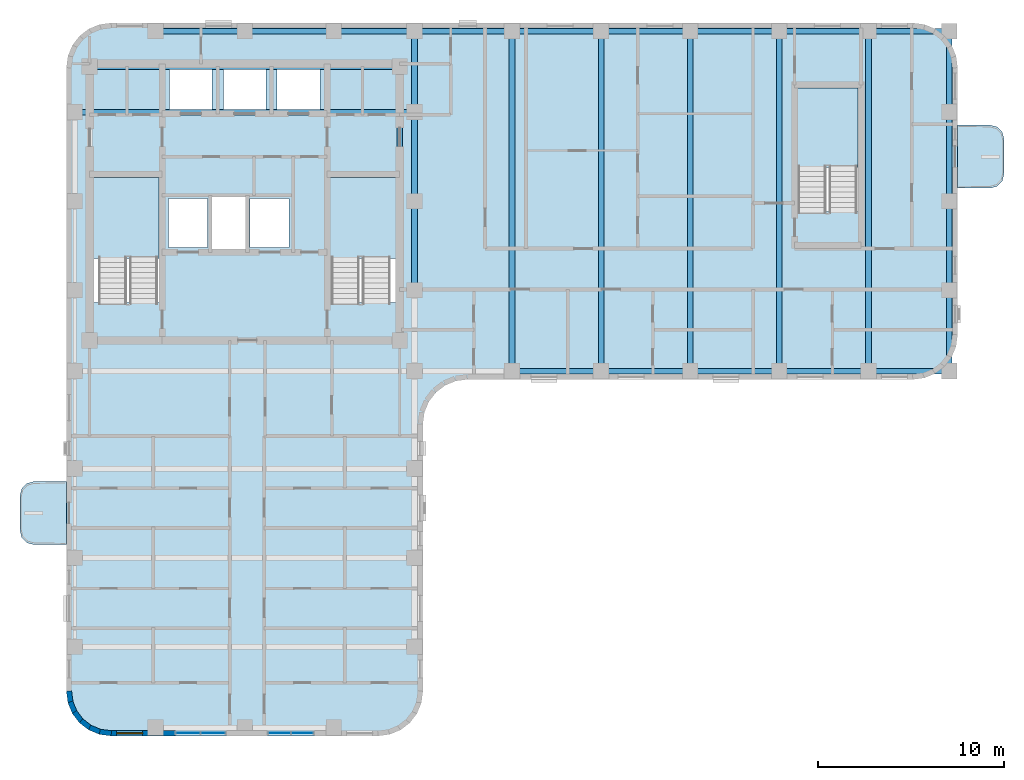
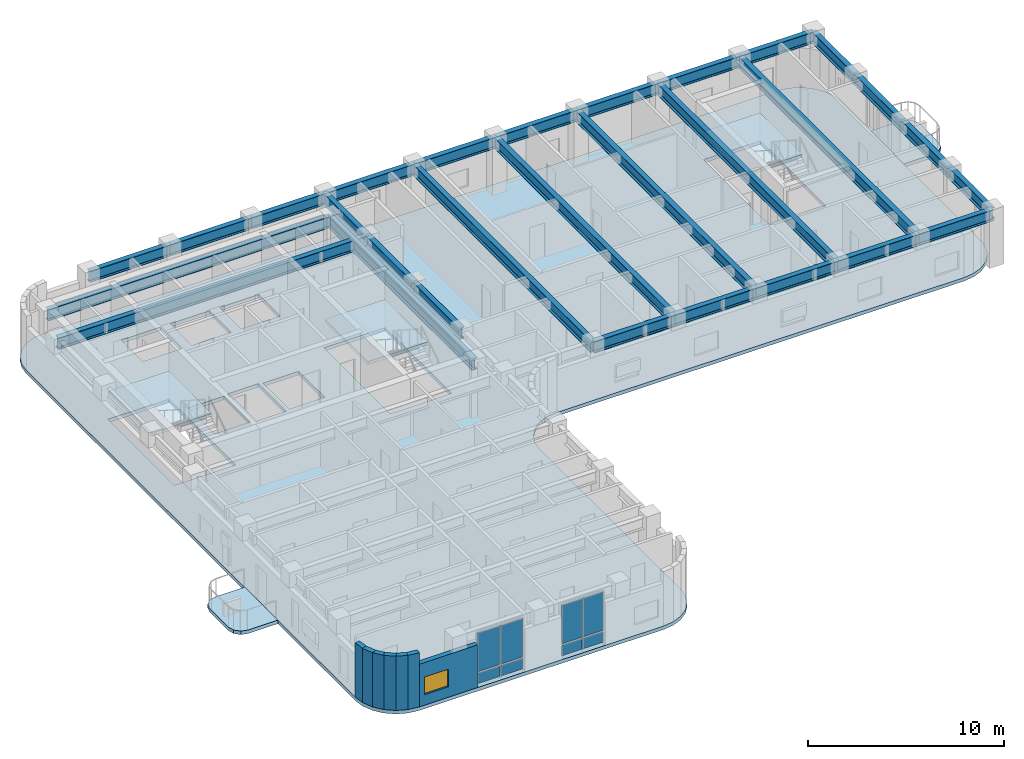
# One storey, part 3 of 12: 29 beams, 8 plates, 7 walls, 6 slabs, 1 window, 1 opening, 5 elements without a shape of their own.
"""IFC4 building model written with IfcOpenShell, lengths in metres."""

from ifc_helpers import new_model, si_unit, direction, frame, frame_2d, origin, origin_2d, place, context, subcontext, project, spatial, polyline, rectangle, i_section, outline, extrude, material, layer, layer_set, material_profile, profile_set, type_object, element, fill, aggregate, save


model = new_model("IFC4")

# Units and contexts
model_context = context("Model", 3, precision=1e-05, world=origin(), true_north=direction((0.0, 1.0)))
body_context = subcontext(model_context, "Body", "Model", "MODEL_VIEW")
ifc_project = project(units=[si_unit("LENGTHUNIT", "METRE"), si_unit("AREAUNIT", "SQUARE_METRE"), si_unit("VOLUMEUNIT", "CUBIC_METRE"), si_unit("PLANEANGLEUNIT", "RADIAN"), si_unit("MASSUNIT", "GRAM", prefix="KILO")], contexts=[model_context])

# Site, building, storey
site_placement = place(None, origin())
site = spatial("IfcSite", under=ifc_project, at=site_placement, CompositionType="ELEMENT")
building_placement = place(site_placement, origin())
building = spatial("IfcBuilding", under=site, at=building_placement, Name="Orvandelia Arch Residences", CompositionType="ELEMENT")
storey_placement = place(building_placement, frame((0.0, 0.0, 214.60009765625)))
storey = spatial("IfcBuildingStorey", under=building, at=storey_placement, Name="L56", CompositionType="ELEMENT", Elevation=214.60009765625)

# Beams
ifc_material_1 = material(Name="Structural Steel SM355 (355 MPa)", Category="steel")
ifc_material_profile = material_profile(ifc_material_1, i_section(OverallWidth=0.300048828125, OverallDepth=0.699951171875, WebThickness=0.012939453125, FlangeThickness=0.02392578125, FilletRadius=0.02392578125, at=origin_2d()), Name="Structural Steel SM355 (355 MPa)", Category="steel")
ifc_profile_set = profile_set([ifc_material_profile], Name="Structural Steel SM355 (355 MPa)")
beam_type = type_object("IfcBeamType", Name="BM-GRD-H700", PredefinedType="BEAM", material=ifc_profile_set)
beam_1_placement = place(storey_placement, frame((22.75, 30.89990234375, 3.02978515625), z_axis=(0.0, 1.0, 0.0), x_axis=(-1.0, 0.0, 0.0)))
element("IfcBeam", 1, at=beam_1_placement, inside=storey, type_object=beam_type, Name="Structural Frame Beam L56-NS-008", PredefinedType="BEAM", context=body_context, shape_type="SweptSolid", body=[
    extrude(i_section(OverallWidth=0.300048828125, OverallDepth=0.699951171875, WebThickness=0.012939453125, FlangeThickness=0.02392578125, FilletRadius=0.02392578125, at=origin_2d()), origin(), (0.0, 0.0, 1.0), 14.75),
])
beam_2_placement = place(storey_placement, frame((23.550048828125, 33.60009765625, 3.02978515625), z_axis=(0.0, 1.0, 0.0), x_axis=(-1.0, 0.0, 0.0)))
element("IfcBeam", 2, at=beam_2_placement, inside=storey, type_object=beam_type, Name="Structural Frame Beam L56-NS-013", PredefinedType="BEAM", context=body_context, shape_type="SweptSolid", body=[
    extrude(i_section(OverallWidth=0.300048828125, OverallDepth=0.699951171875, WebThickness=0.012939453125, FlangeThickness=0.02392578125, FilletRadius=0.02392578125, at=origin_2d()), origin(), (0.0, 0.0, 1.0), 4.7998046875),
])
beam_3_placement = place(storey_placement, frame((23.550048828125, 38.39990234375, 3.02978515625), z_axis=(0.0, 1.0, 0.0), x_axis=(-1.0, 0.0, 0.0)))
element("IfcBeam", 3, at=beam_3_placement, inside=storey, type_object=beam_type, Name="Structural Frame Beam L56-NS-014", PredefinedType="BEAM", context=body_context, shape_type="SweptSolid", body=[
    extrude(i_section(OverallWidth=0.300048828125, OverallDepth=0.699951171875, WebThickness=0.012939453125, FlangeThickness=0.02392578125, FilletRadius=0.02392578125, at=origin_2d()), origin(), (0.0, 0.0, 1.0), 4.800048828125),
])
beam_4_placement = place(storey_placement, frame((23.550048828125, 43.199951171875, 3.02978515625), z_axis=(0.0, 1.0, 0.0), x_axis=(-1.0, 0.0, 0.0)))
element("IfcBeam", 4, at=beam_4_placement, inside=storey, type_object=beam_type, Name="Structural Frame Beam L56-NS-015", PredefinedType="BEAM", context=body_context, shape_type="SweptSolid", body=[
    extrude(i_section(OverallWidth=0.300048828125, OverallDepth=0.699951171875, WebThickness=0.012939453125, FlangeThickness=0.02392578125, FilletRadius=0.02392578125, at=origin_2d()), origin(), (0.0, 0.0, 1.0), 4.35009765625),
])
for number, where, z_axis, x_axis, name in (
    (5, (28.800048828125, 29.25, 3.02978515625), (0.0, 1.0, 0.0), (-1.0, 0.0, 0.0), "Structural Frame Beam L56-NS-016"),
    (6, (33.60009765625, 29.25, 3.02978515625), (0.0, 1.0, 0.0), (-1.0, 0.0, 0.0), "Structural Frame Beam L56-NS-017"),
    (7, (38.39990234375, 29.25, 3.02978515625), (0.0, 1.0, 0.0), (-1.0, 0.0, 0.0), "Structural Frame Beam L56-NS-018"),
    (8, (43.199951171875, 29.25, 3.02978515625), (0.0, 1.0, 0.0), (-1.0, 0.0, 0.0), "Structural Frame Beam L56-NS-019"),
    (9, (48.0, 29.25, 3.02978515625), (0.0, 1.0, 0.0), (-1.0, 0.0, 0.0), "Structural Frame Beam L56-NS-020"),
):
    element("IfcBeam", number, at=place(storey_placement, frame(where, z_axis=z_axis, x_axis=x_axis)), inside=storey, type_object=beam_type, Name=name, PredefinedType="BEAM", context=body_context, shape_type="SweptSolid", body=[
        extrude(i_section(OverallWidth=0.300048828125, OverallDepth=0.699951171875, WebThickness=0.012939453125, FlangeThickness=0.02392578125, FilletRadius=0.02392578125, at=origin_2d()), origin(), (0.0, 0.0, 1.0), 18.300048828125),
    ])
beam_5_placement = place(storey_placement, frame((52.35009765625, 29.25, 3.02978515625), z_axis=(0.0, 1.0, 0.0), x_axis=(-1.0, 0.0, 0.0)))
element("IfcBeam", 10, at=beam_5_placement, inside=storey, type_object=beam_type, Name="Structural Frame Beam L56-NS-021", PredefinedType="BEAM", context=body_context, shape_type="SweptSolid", body=[
    extrude(i_section(OverallWidth=0.300048828125, OverallDepth=0.699951171875, WebThickness=0.012939453125, FlangeThickness=0.02392578125, FilletRadius=0.02392578125, at=origin_2d()), origin(), (0.0, 0.0, 1.0), 4.35009765625),
])
beam_6_placement = place(storey_placement, frame((52.35009765625, 33.60009765625, 3.02978515625), z_axis=(0.0, 1.0, 0.0), x_axis=(-1.0, 0.0, 0.0)))
element("IfcBeam", 11, at=beam_6_placement, inside=storey, type_object=beam_type, Name="Structural Frame Beam L56-NS-022", PredefinedType="BEAM", context=body_context, shape_type="SweptSolid", body=[
    extrude(i_section(OverallWidth=0.300048828125, OverallDepth=0.699951171875, WebThickness=0.012939453125, FlangeThickness=0.02392578125, FilletRadius=0.02392578125, at=origin_2d()), origin(), (0.0, 0.0, 1.0), 4.7998046875),
])
beam_7_placement = place(storey_placement, frame((52.35009765625, 38.39990234375, 3.02978515625), z_axis=(0.0, 1.0, 0.0), x_axis=(-1.0, 0.0, 0.0)))
element("IfcBeam", 12, at=beam_7_placement, inside=storey, type_object=beam_type, Name="Structural Frame Beam L56-NS-023", PredefinedType="BEAM", context=body_context, shape_type="SweptSolid", body=[
    extrude(i_section(OverallWidth=0.300048828125, OverallDepth=0.699951171875, WebThickness=0.012939453125, FlangeThickness=0.02392578125, FilletRadius=0.02392578125, at=origin_2d()), origin(), (0.0, 0.0, 1.0), 4.800048828125),
])
beam_8_placement = place(storey_placement, frame((52.35009765625, 43.199951171875, 3.02978515625), z_axis=(0.0, 1.0, 0.0), x_axis=(-1.0, 0.0, 0.0)))
element("IfcBeam", 13, at=beam_8_placement, inside=storey, type_object=beam_type, Name="Structural Frame Beam L56-NS-024", PredefinedType="BEAM", context=body_context, shape_type="SweptSolid", body=[
    extrude(i_section(OverallWidth=0.300048828125, OverallDepth=0.699951171875, WebThickness=0.012939453125, FlangeThickness=0.02392578125, FilletRadius=0.02392578125, at=origin_2d()), origin(), (0.0, 0.0, 1.0), 4.35009765625),
])
beam_9_placement = place(storey_placement, frame((28.800048828125, 29.25, 3.02978515625), z_axis=(1.0, 0.0, 0.0), x_axis=(0.0, 1.0, 0.0)))
element("IfcBeam", 14, at=beam_9_placement, inside=storey, type_object=beam_type, Name="Structural Frame Girder L56-EW-032", PredefinedType="BEAM", context=body_context, shape_type="SweptSolid", body=[
    extrude(i_section(OverallWidth=0.300048828125, OverallDepth=0.699951171875, WebThickness=0.012939453125, FlangeThickness=0.02392578125, FilletRadius=0.02392578125, at=origin_2d()), origin(), (0.0, 0.0, 1.0), 4.800048828125),
])
beam_10_placement = place(storey_placement, frame((33.60009765625, 29.25, 3.02978515625), z_axis=(1.0, 0.0, 0.0), x_axis=(0.0, 1.0, 0.0)))
element("IfcBeam", 15, at=beam_10_placement, inside=storey, type_object=beam_type, Name="Structural Frame Girder L56-EW-033", PredefinedType="BEAM", context=body_context, shape_type="SweptSolid", body=[
    extrude(i_section(OverallWidth=0.300048828125, OverallDepth=0.699951171875, WebThickness=0.012939453125, FlangeThickness=0.02392578125, FilletRadius=0.02392578125, at=origin_2d()), origin(), (0.0, 0.0, 1.0), 4.7998046875),
])
for number, where, z_axis, x_axis, name in (
    (16, (38.39990234375, 29.25, 3.02978515625), (1.0, 0.0, 0.0), (0.0, 1.0, 0.0), "Structural Frame Girder L56-EW-034"),
    (17, (43.199951171875, 29.25, 3.02978515625), (1.0, 0.0, 0.0), (0.0, 1.0, 0.0), "Structural Frame Girder L56-EW-035"),
):
    element("IfcBeam", number, at=place(storey_placement, frame(where, z_axis=z_axis, x_axis=x_axis)), inside=storey, type_object=beam_type, Name=name, PredefinedType="BEAM", context=body_context, shape_type="SweptSolid", body=[
        extrude(i_section(OverallWidth=0.300048828125, OverallDepth=0.699951171875, WebThickness=0.012939453125, FlangeThickness=0.02392578125, FilletRadius=0.02392578125, at=origin_2d()), origin(), (0.0, 0.0, 1.0), 4.800048828125),
    ])
beam_11_placement = place(storey_placement, frame((48.0, 29.25, 3.02978515625), z_axis=(1.0, 0.0, 0.0), x_axis=(0.0, 1.0, 0.0)))
element("IfcBeam", 18, at=beam_11_placement, inside=storey, type_object=beam_type, Name="Structural Frame Girder L56-EW-036", PredefinedType="BEAM", context=body_context, shape_type="SweptSolid", body=[
    extrude(i_section(OverallWidth=0.300048828125, OverallDepth=0.699951171875, WebThickness=0.012939453125, FlangeThickness=0.02392578125, FilletRadius=0.02392578125, at=origin_2d()), origin(), (0.0, 0.0, 1.0), 4.35009765625),
])
beam_12_placement = place(storey_placement, frame((5.25, 43.199951171875, 3.02978515625), z_axis=(1.0, 0.0, 0.0), x_axis=(0.0, 1.0, 0.0)))
element("IfcBeam", 19, at=beam_12_placement, inside=storey, type_object=beam_type, Name="Structural Frame Girder L56-EW-040", PredefinedType="BEAM", context=body_context, shape_type="SweptSolid", body=[
    extrude(i_section(OverallWidth=0.300048828125, OverallDepth=0.699951171875, WebThickness=0.012939453125, FlangeThickness=0.02392578125, FilletRadius=0.02392578125, at=origin_2d()), origin(), (0.0, 0.0, 1.0), 18.300048828125),
])
beam_13_placement = place(storey_placement, frame((6.050048828125, 45.64990234375, 3.02978515625), z_axis=(1.0, 0.0, 0.0), x_axis=(0.0, 1.0, 0.0)))
element("IfcBeam", 20, at=beam_13_placement, inside=storey, type_object=beam_type, Name="Structural Frame Girder L56-EW-041", PredefinedType="BEAM", context=body_context, shape_type="SweptSolid", body=[
    extrude(i_section(OverallWidth=0.300048828125, OverallDepth=0.699951171875, WebThickness=0.012939453125, FlangeThickness=0.02392578125, FilletRadius=0.02392578125, at=origin_2d()), origin(), (0.0, 0.0, 1.0), 16.699951171875),
])
beam_14_placement = place(storey_placement, frame((9.60009765625, 47.550048828125, 3.02978515625), z_axis=(1.0, 0.0, 0.0), x_axis=(0.0, 1.0, 0.0)))
element("IfcBeam", 21, at=beam_14_placement, inside=storey, type_object=beam_type, Name="Structural Frame Girder L56-EW-042", PredefinedType="BEAM", context=body_context, shape_type="SweptSolid", body=[
    extrude(i_section(OverallWidth=0.300048828125, OverallDepth=0.699951171875, WebThickness=0.012939453125, FlangeThickness=0.02392578125, FilletRadius=0.02392578125, at=origin_2d()), origin(), (0.0, 0.0, 1.0), 4.7998046875),
])
beam_15_placement = place(storey_placement, frame((14.39990234375, 47.550048828125, 3.02978515625), z_axis=(1.0, 0.0, 0.0), x_axis=(0.0, 1.0, 0.0)))
element("IfcBeam", 22, at=beam_15_placement, inside=storey, type_object=beam_type, Name="Structural Frame Girder L56-EW-043", PredefinedType="BEAM", context=body_context, shape_type="SweptSolid", body=[
    extrude(i_section(OverallWidth=0.300048828125, OverallDepth=0.699951171875, WebThickness=0.012939453125, FlangeThickness=0.02392578125, FilletRadius=0.02392578125, at=origin_2d()), origin(), (0.0, 0.0, 1.0), 4.800048828125),
])
beam_16_placement = place(storey_placement, frame((19.199951171875, 47.550048828125, 3.02978515625), z_axis=(1.0, 0.0, 0.0), x_axis=(0.0, 1.0, 0.0)))
element("IfcBeam", 23, at=beam_16_placement, inside=storey, type_object=beam_type, Name="Structural Frame Girder L56-EW-044", PredefinedType="BEAM", context=body_context, shape_type="SweptSolid", body=[
    extrude(i_section(OverallWidth=0.300048828125, OverallDepth=0.699951171875, WebThickness=0.012939453125, FlangeThickness=0.02392578125, FilletRadius=0.02392578125, at=origin_2d()), origin(), (0.0, 0.0, 1.0), 4.35009765625),
])
beam_17_placement = place(storey_placement, frame((23.550048828125, 47.550048828125, 3.02978515625), z_axis=(1.0, 0.0, 0.0), x_axis=(0.0, 1.0, 0.0)))
element("IfcBeam", 24, at=beam_17_placement, inside=storey, type_object=beam_type, Name="Structural Frame Girder L56-EW-045", PredefinedType="BEAM", context=body_context, shape_type="SweptSolid", body=[
    extrude(i_section(OverallWidth=0.300048828125, OverallDepth=0.699951171875, WebThickness=0.012939453125, FlangeThickness=0.02392578125, FilletRadius=0.02392578125, at=origin_2d()), origin(), (0.0, 0.0, 1.0), 5.25),
])
beam_18_placement = place(storey_placement, frame((28.800048828125, 47.550048828125, 3.02978515625), z_axis=(1.0, 0.0, 0.0), x_axis=(0.0, 1.0, 0.0)))
element("IfcBeam", 25, at=beam_18_placement, inside=storey, type_object=beam_type, Name="Structural Frame Girder L56-EW-046", PredefinedType="BEAM", context=body_context, shape_type="SweptSolid", body=[
    extrude(i_section(OverallWidth=0.300048828125, OverallDepth=0.699951171875, WebThickness=0.012939453125, FlangeThickness=0.02392578125, FilletRadius=0.02392578125, at=origin_2d()), origin(), (0.0, 0.0, 1.0), 4.800048828125),
])
beam_19_placement = place(storey_placement, frame((33.60009765625, 47.550048828125, 3.02978515625), z_axis=(1.0, 0.0, 0.0), x_axis=(0.0, 1.0, 0.0)))
element("IfcBeam", 26, at=beam_19_placement, inside=storey, type_object=beam_type, Name="Structural Frame Girder L56-EW-047", PredefinedType="BEAM", context=body_context, shape_type="SweptSolid", body=[
    extrude(i_section(OverallWidth=0.300048828125, OverallDepth=0.699951171875, WebThickness=0.012939453125, FlangeThickness=0.02392578125, FilletRadius=0.02392578125, at=origin_2d()), origin(), (0.0, 0.0, 1.0), 4.7998046875),
])
for number, where, z_axis, x_axis, name in (
    (27, (38.39990234375, 47.550048828125, 3.02978515625), (1.0, 0.0, 0.0), (0.0, 1.0, 0.0), "Structural Frame Girder L56-EW-048"),
    (28, (43.199951171875, 47.550048828125, 3.02978515625), (1.0, 0.0, 0.0), (0.0, 1.0, 0.0), "Structural Frame Girder L56-EW-049"),
):
    element("IfcBeam", number, at=place(storey_placement, frame(where, z_axis=z_axis, x_axis=x_axis)), inside=storey, type_object=beam_type, Name=name, PredefinedType="BEAM", context=body_context, shape_type="SweptSolid", body=[
        extrude(i_section(OverallWidth=0.300048828125, OverallDepth=0.699951171875, WebThickness=0.012939453125, FlangeThickness=0.02392578125, FilletRadius=0.02392578125, at=origin_2d()), origin(), (0.0, 0.0, 1.0), 4.800048828125),
    ])
beam_20_placement = place(storey_placement, frame((48.0, 47.550048828125, 3.02978515625), z_axis=(1.0, 0.0, 0.0), x_axis=(0.0, 1.0, 0.0)))
element("IfcBeam", 29, at=beam_20_placement, inside=storey, type_object=beam_type, Name="Structural Frame Girder L56-EW-050", PredefinedType="BEAM", context=body_context, shape_type="SweptSolid", body=[
    extrude(i_section(OverallWidth=0.300048828125, OverallDepth=0.699951171875, WebThickness=0.012939453125, FlangeThickness=0.02392578125, FilletRadius=0.02392578125, at=origin_2d()), origin(), (0.0, 0.0, 1.0), 4.35009765625),
])

# Curtain wall, plates
ifc_material_2 = material(Name="Anodised Bronze Curtain Wall Assembly")
curtain_wall_type = type_object("IfcCurtainWallType", Name="CW-SYS5-CORNER", PredefinedType="NOTDEFINED", material=ifc_material_2)
curtain_wall_1_placement = place(storey_placement, origin())
curtain_wall_1 = element("IfcCurtainWall", 30, at=curtain_wall_1_placement, inside=storey, type_object=curtain_wall_type, Name="Feature Bay Winter-Garden Curtain Wall L56 1", PredefinedType="NOTDEFINED")
ifc_material_3 = material(Name="Insulated Bronze Aluminium Spandrel Panel", Category="aluminium")
ifc_layer_1 = layer(ifc_material_3, 0.0400390625, Name="Insulated Bronze Aluminium Spandrel Panel", Category="aluminium")
ifc_layer_set_1 = layer_set([ifc_layer_1], Name="Insulated Bronze Aluminium Spandrel Panel")
plate_type_1 = type_object("IfcPlateType", Name="CW-PANEL-SPANDREL", PredefinedType="SHEET", material=ifc_layer_set_1)
plate_1_placement = place(storey_placement, frame((11.35498046875, 9.760009765625, 0.125), z_axis=(0.0, 0.0, 1.0), x_axis=(1.0, 0.0, 0.0)))
plate_1 = element("IfcPlate", 31, at=plate_1_placement, type_object=plate_type_1, Name="Curtain Wall Spandrel Panel CW-L56-1-PS1", PredefinedType="SHEET", context=body_context, shape_type="SweptSolid", body=[
    extrude(rectangle(XDim=1.300048828125, YDim=0.0400390625, at=origin_2d()), origin(), (0.0, 0.0, 1.0), 0.631103515625),
])
plate_2_placement = place(storey_placement, frame((12.705078125, 9.760009765625, 0.125), z_axis=(0.0, 0.0, 1.0), x_axis=(1.0, 0.0, 0.0)))
plate_2 = element("IfcPlate", 32, at=plate_2_placement, type_object=plate_type_1, Name="Curtain Wall Spandrel Panel CW-L56-1-PS2", PredefinedType="SHEET", context=body_context, shape_type="SweptSolid", body=[
    extrude(rectangle(XDim=1.300048828125, YDim=0.0400390625, at=origin_2d()), origin(), (0.0, 0.0, 1.0), 0.631103515625),
])

curtain_wall_2_placement = place(storey_placement, origin())
curtain_wall_2 = element("IfcCurtainWall", 33, at=curtain_wall_2_placement, inside=storey, type_object=curtain_wall_type, Name="Feature Bay Winter-Garden Curtain Wall L56 2", PredefinedType="NOTDEFINED")
plate_3_placement = place(storey_placement, frame((16.282470703125, 9.760009765625, 0.125), z_axis=(0.0, 0.0, 1.0), x_axis=(1.0, 0.0, 0.0)))
plate_3 = element("IfcPlate", 34, at=plate_3_placement, type_object=plate_type_1, Name="Curtain Wall Spandrel Panel CW-L56-2-PS1", PredefinedType="SHEET", context=body_context, shape_type="SweptSolid", body=[
    extrude(rectangle(XDim=1.175048828125, YDim=0.0400390625, at=origin_2d()), origin(), (0.0, 0.0, 1.0), 0.631103515625),
])
plate_4_placement = place(storey_placement, frame((17.507568359375, 9.760009765625, 0.125), z_axis=(0.0, 0.0, 1.0), x_axis=(1.0, 0.0, 0.0)))
plate_4 = element("IfcPlate", 35, at=plate_4_placement, type_object=plate_type_1, Name="Curtain Wall Spandrel Panel CW-L56-2-PS2", PredefinedType="SHEET", context=body_context, shape_type="SweptSolid", body=[
    extrude(rectangle(XDim=1.175048828125, YDim=0.0400390625, at=origin_2d()), origin(), (0.0, 0.0, 1.0), 0.631103515625),
])

# Plate
ifc_material_4 = material(Name="Low-E Laminated Double Glazing", Category="glass")
ifc_layer_2 = layer(ifc_material_4, 0.031982421875, Name="Low-E Laminated Double Glazing", Category="glass")
ifc_layer_set_2 = layer_set([ifc_layer_2], Name="Low-E Laminated Double Glazing")
plate_type_2 = type_object("IfcPlateType", Name="CW-PANEL-VISION", PredefinedType="CURTAIN_PANEL", material=ifc_layer_set_2)
plate_5_placement = place(storey_placement, frame((11.35498046875, 9.760009765625, 0.8662109375), z_axis=(0.0, 0.0, 1.0), x_axis=(1.0, 0.0, 0.0)))
plate_5 = element("IfcPlate", 36, at=plate_5_placement, type_object=plate_type_2, Name="Curtain Wall Vision Glass Panel CW-L56-1-PV1", PredefinedType="CURTAIN_PANEL", context=body_context, shape_type="SweptSolid", body=[
    extrude(rectangle(XDim=1.300048828125, YDim=0.031982421875, at=origin_2d()), origin(), (0.0, 0.0, 1.0), 2.388916015625),
])

plate_6_placement = place(storey_placement, frame((12.705078125, 9.760009765625, 0.8662109375), z_axis=(0.0, 0.0, 1.0), x_axis=(1.0, 0.0, 0.0)))
plate_6 = element("IfcPlate", 37, at=plate_6_placement, type_object=plate_type_2, Name="Curtain Wall Vision Glass Panel CW-L56-1-PV2", PredefinedType="CURTAIN_PANEL", context=body_context, shape_type="SweptSolid", body=[
    extrude(rectangle(XDim=1.300048828125, YDim=0.031982421875, at=origin_2d()), origin(), (0.0, 0.0, 1.0), 2.388916015625),
])

aggregate(curtain_wall_1, [plate_1, plate_5, plate_2, plate_6])

plate_7_placement = place(storey_placement, frame((16.282470703125, 9.760009765625, 0.8662109375), z_axis=(0.0, 0.0, 1.0), x_axis=(1.0, 0.0, 0.0)))
plate_7 = element("IfcPlate", 38, at=plate_7_placement, type_object=plate_type_2, Name="Curtain Wall Vision Glass Panel CW-L56-2-PV1", PredefinedType="CURTAIN_PANEL", context=body_context, shape_type="SweptSolid", body=[
    extrude(rectangle(XDim=1.175048828125, YDim=0.031982421875, at=origin_2d()), origin(), (0.0, 0.0, 1.0), 2.388916015625),
])

plate_8_placement = place(storey_placement, frame((17.507568359375, 9.760009765625, 0.8662109375), z_axis=(0.0, 0.0, 1.0), x_axis=(1.0, 0.0, 0.0)))
plate_8 = element("IfcPlate", 39, at=plate_8_placement, type_object=plate_type_2, Name="Curtain Wall Vision Glass Panel CW-L56-2-PV2", PredefinedType="CURTAIN_PANEL", context=body_context, shape_type="SweptSolid", body=[
    extrude(rectangle(XDim=1.175048828125, YDim=0.031982421875, at=origin_2d()), origin(), (0.0, 0.0, 1.0), 2.388916015625),
])

aggregate(curtain_wall_2, [plate_3, plate_7, plate_4, plate_8])

# Slabs
ifc_material_5 = material(Name="Precast concrete C40/50", Category="concrete")
ifc_layer_3 = layer(ifc_material_5, 0.219970703125, Name="Precast concrete C40/50", Category="concrete")
ifc_layer_set_3 = layer_set([ifc_layer_3], Name="Precast concrete C40/50")
slab_type_1 = type_object("IfcSlabType", Name="SLB-BAL-220", PredefinedType="USERDEFINED", material=ifc_layer_set_3)
slab_1_placement = place(storey_placement, frame((0.0, 0.0, -0.22021484375)))
element("IfcSlab", 40, at=slab_1_placement, inside=storey, type_object=slab_type_1, Name="Tree Balcony Cantilever Slab BAL-L56-W1", ObjectType="BALCONY", PredefinedType="USERDEFINED", context=body_context, shape_type="SweptSolid", body=[
    extrude(outline(polyline([(4.800048828125, 19.89990234375), (4.800048828125, 23.300048828125), (3.050048828125, 23.300048828125), (2.675048828125, 23.199462890625), (2.400390625, 22.925048828125), (2.300048828125, 22.550048828125), (2.300048828125, 20.64990234375), (2.400390625, 20.27490234375), (2.675048828125, 20.00048828125), (3.050048828125, 19.89990234375), (4.800048828125, 19.89990234375)])), origin(), (0.0, 0.0, 1.0), 0.22021484375),
])
slab_2_placement = place(storey_placement, frame((0.0, 0.0, -0.22021484375)))
element("IfcSlab", 41, at=slab_2_placement, inside=storey, type_object=slab_type_1, Name="Tree Balcony Cantilever Slab BAL-L56-E1", ObjectType="BALCONY", PredefinedType="USERDEFINED", context=body_context, shape_type="SweptSolid", body=[
    extrude(outline(polyline([(52.800048828125, 42.5), (52.800048828125, 39.10009765625), (54.550048828125, 39.10009765625), (54.925048828125, 39.200439453125), (55.199462890625, 39.47509765625), (55.300048828125, 39.85009765625), (55.300048828125, 41.75), (55.199462890625, 42.125), (54.925048828125, 42.3994140625), (54.550048828125, 42.5), (52.800048828125, 42.5)])), origin(), (0.0, 0.0, 1.0), 0.22021484375),
])

# Stair, slab
ifc_material_6 = material(Name="Concrete C40/50", Category="concrete")
stair_type = type_object("IfcStairType", Name="STAIR-RC-DOGLEG", PredefinedType="HALF_TURN_STAIR", material=ifc_material_6)
stair_1_placement = place(storey_placement, origin())
stair_1 = element("IfcStair", 42, at=stair_1_placement, inside=storey, type_object=stair_type, Name="L56 Protected Exit Stair ST-1", PredefinedType="HALF_TURN_STAIR")
ifc_layer_4 = layer(ifc_material_6, 0.219970703125, Name="Concrete C40/50", Category="concrete")
ifc_layer_set_4 = layer_set([ifc_layer_4], Name="Concrete C40/50")
slab_type_2 = type_object("IfcSlabType", Name="SLB-LANDING-220", PredefinedType="LANDING", material=ifc_layer_set_4)
slab_3_placement = place(storey_placement, frame((0.0, 0.0, 1.599853515625)))
slab_3 = element("IfcSlab", 43, at=slab_3_placement, type_object=slab_type_2, Name="ST-1 landing 1", PredefinedType="LANDING", context=body_context, shape_type="SweptSolid", body=[
    extrude(outline(polyline([(9.800048828125, 35.31005859375), (9.800048828125, 39.68994140625), (6.260009765625, 39.68994140625), (6.260009765625, 35.31005859375), (9.800048828125, 35.31005859375)])), origin(), (0.0, 0.0, 1.0), 0.199951171875),
])
aggregate(stair_1, [slab_3])

stair_2_placement = place(storey_placement, origin())
stair_2 = element("IfcStair", 44, at=stair_2_placement, inside=storey, type_object=stair_type, Name="L56 Protected Exit Stair ST-2", PredefinedType="HALF_TURN_STAIR")
slab_4_placement = place(storey_placement, frame((0.0, 0.0, 1.599853515625)))
slab_4 = element("IfcSlab", 45, at=slab_4_placement, type_object=slab_type_2, Name="ST-2 landing 1", PredefinedType="LANDING", context=body_context, shape_type="SweptSolid", body=[
    extrude(outline(polyline([(22.5400390625, 35.31005859375), (22.5400390625, 39.68994140625), (19.0, 39.68994140625), (19.0, 35.31005859375), (22.5400390625, 35.31005859375)])), origin(), (0.0, 0.0, 1.0), 0.199951171875),
])
aggregate(stair_2, [slab_4])

stair_3_placement = place(storey_placement, origin())
stair_3 = element("IfcStair", 46, at=stair_3_placement, inside=storey, type_object=stair_type, Name="L56 East Wing Exit Stair ST-3", PredefinedType="HALF_TURN_STAIR")
slab_5_placement = place(storey_placement, frame((0.0, 0.0, 1.599853515625)))
slab_5 = element("IfcSlab", 47, at=slab_5_placement, type_object=slab_type_2, Name="ST-3 landing 1", PredefinedType="LANDING", context=body_context, shape_type="SweptSolid", body=[
    extrude(outline(polyline([(47.43994140625, 40.2099609375), (47.43994140625, 44.5), (44.179931640625, 44.5), (44.179931640625, 40.2099609375), (47.43994140625, 40.2099609375)])), origin(), (0.0, 0.0, 1.0), 0.199951171875),
])
aggregate(stair_3, [slab_5])

# Slab
ifc_layer_5 = layer(ifc_material_6, 0.219970703125, Name="Concrete C40/50", Category="concrete")
ifc_layer_set_5 = layer_set([ifc_layer_5], Name="Concrete C40/50")
slab_type_3 = type_object("IfcSlabType", Name="SLB-TWR-220", PredefinedType="FLOOR", material=ifc_layer_set_5)
slab_6_placement = place(storey_placement, frame((0.0, 0.0, -0.22021484375)))
element("IfcSlab", 48, at=slab_6_placement, inside=storey, type_object=slab_type_3, Name="Structural Floor Slab L56-1", PredefinedType="FLOOR", context=body_context, shape_type="SweptSolid", body=[
    extrude(outline(polyline([(4.800048828125, 12.0), (4.8818359375, 11.37890625), (5.12158203125, 10.800048828125), (5.5029296875, 10.302978515625), (6.0, 9.92138671875), (6.578857421875, 9.681884765625), (7.199951171875, 9.60009765625), (21.60009765625, 9.60009765625), (22.22119140625, 9.681884765625), (22.800048828125, 9.92138671875), (23.297119140625, 10.302978515625), (23.678466796875, 10.800048828125), (23.918212890625, 11.37890625), (24.0, 12.0), (24.0, 26.39990234375), (24.081787109375, 27.021240234375), (24.321533203125, 27.60009765625), (24.702880859375, 28.09716796875), (25.199951171875, 28.478515625), (25.77880859375, 28.71826171875), (26.39990234375, 28.800048828125), (50.39990234375, 28.800048828125), (51.021240234375, 28.8818359375), (51.60009765625, 29.12158203125), (52.09716796875, 29.5029296875), (52.478515625, 30.0), (52.71826171875, 30.578857421875), (52.800048828125, 31.199951171875), (52.800048828125, 45.60009765625), (52.71826171875, 46.22119140625), (52.478515625, 46.800048828125), (52.09716796875, 47.297119140625), (51.60009765625, 47.678466796875), (51.021240234375, 47.918212890625), (50.39990234375, 48.0), (7.199951171875, 48.0), (6.578857421875, 47.918212890625), (6.0, 47.678466796875), (5.5029296875, 47.297119140625), (5.12158203125, 46.800048828125), (4.8818359375, 46.22119140625), (4.800048828125, 45.60009765625), (4.800048828125, 12.0)]), holes=[polyline([(6.219970703125, 32.949951171875), (9.840087890625, 32.949951171875), (9.840087890625, 39.72998046875), (6.219970703125, 39.72998046875), (6.219970703125, 32.949951171875)]), polyline([(18.9599609375, 32.949951171875), (22.580078125, 32.949951171875), (22.580078125, 39.72998046875), (18.9599609375, 39.72998046875), (18.9599609375, 32.949951171875)]), polyline([(44.139892578125, 37.85009765625), (47.47998046875, 37.85009765625), (47.47998046875, 44.5400390625), (44.139892578125, 44.5400390625), (44.139892578125, 37.85009765625)]), polyline([(12.639892578125, 35.81005859375), (14.4599609375, 35.81005859375), (14.4599609375, 38.639892578125), (12.639892578125, 38.639892578125), (12.639892578125, 35.81005859375)]), polyline([(10.300048828125, 35.89990234375), (12.39990234375, 35.89990234375), (12.39990234375, 38.550048828125), (10.300048828125, 38.550048828125), (10.300048828125, 35.89990234375)]), polyline([(14.699951171875, 35.89990234375), (16.800048828125, 35.89990234375), (16.800048828125, 38.550048828125), (14.699951171875, 38.550048828125), (14.699951171875, 35.89990234375)]), polyline([(10.35009765625, 43.300048828125), (12.64990234375, 43.300048828125), (12.64990234375, 45.5), (10.35009765625, 45.5), (10.35009765625, 43.300048828125)]), polyline([(13.25, 43.300048828125), (15.550048828125, 43.300048828125), (15.550048828125, 45.5), (13.25, 45.5), (13.25, 43.300048828125)]), polyline([(16.14990234375, 43.300048828125), (18.449951171875, 43.300048828125), (18.449951171875, 45.5), (16.14990234375, 45.5), (16.14990234375, 43.300048828125)])]), origin(), (0.0, 0.0, 1.0), 0.22021484375),
])

# Wall, opening, window
ifc_layer_6 = layer(ifc_material_5, 0.280029296875, Name="Precast concrete C40/50", Category="concrete")
ifc_layer_set_6 = layer_set([ifc_layer_6], Name="Precast concrete C40/50")
wall_type = type_object("IfcWallType", Name="WL-EXT-STONE-280", PredefinedType="STANDARD", material=ifc_layer_set_6)
wall_1_placement = place(storey_placement, frame((10.639892578125, 9.739990234375, 0.0), z_axis=(0.0, 0.0, 1.0), x_axis=(-1.0, 0.0, 0.0)))
wall_1 = element("IfcWall", 49, at=wall_1_placement, inside=storey, type_object=wall_type, Name="Coral-Limestone Precast Facade Wall L56-037", PredefinedType="STANDARD", context=body_context, shape_type="SweptSolid", body=[
    extrude(rectangle(XDim=3.43994140625, YDim=0.280029296875, at=frame_2d((1.719970703125, 0.0))), origin(), (0.0, 0.0, 1.0), 2.659912109375),
])
opening_placement = place(wall_1_placement, frame((1.732421875, 0.0, 0.64990234375)))
opening = element("IfcOpeningElement", 50, at=opening_placement, cuts=wall_1, Name="Opening W10", PredefinedType="OPENING", context=body_context, shape_type="SweptSolid", body=[
    extrude(rectangle(XDim=1.39990234375, YDim=1.10009765625, at=frame_2d((0.699951171875, 0.550048828125))), frame((0.0, 0.14990234375, 0.0), z_axis=(0.0, -1.0, 0.0), x_axis=(1.0, 0.0, 0.0)), (0.0, 0.0, 1.0), 0.300048828125),
])
ifc_material_7 = material(Name="Tempered Low-E Insulated Glazing", Category="glass")
window_type = type_object("IfcWindowType", Name="WIN-CLR-1400x1100", PartitioningType="SINGLE_PANEL", PredefinedType="WINDOW", material=ifc_material_7)
window_placement = place(opening_placement, origin())
window = element("IfcWindow", 51, at=window_placement, inside=storey, type_object=window_type, Name="Recessed Punched Window L56-023", OverallHeight=1.10009765625, OverallWidth=1.39990234375, PartitioningType="SINGLE_PANEL", PredefinedType="WINDOW", context=body_context, shape_type="SweptSolid", body=[
    extrude(rectangle(XDim=1.39990234375, YDim=1.10009765625, at=frame_2d((0.699951171875, 0.550048828125))), frame((0.0, 0.030029296875, 0.0), z_axis=(0.0, -1.0, 0.0), x_axis=(1.0, 0.0, 0.0)), (0.0, 0.0, 1.0), 0.06005859375),
])
fill(opening, window)

# Walls
wall_2_placement = place(storey_placement, frame((7.21826171875, 9.73876953125, 0.0), z_axis=(0.0, 0.0, 1.0), x_axis=(-0.9914410257, 0.130555323746, 0.0)))
element("IfcWall", 52, at=wall_2_placement, inside=storey, type_object=wall_type, Name="Coral-Limestone Precast Facade Wall L56-038", PredefinedType="STANDARD", context=body_context, shape_type="SweptSolid", body=[
    extrude(rectangle(XDim=0.62646484375, YDim=0.280029296875, at=frame_2d((0.313232421875, 0.0))), origin(), (0.0, 0.0, 1.0), 3.3798828125),
])
wall_3_placement = place(storey_placement, frame((6.63232421875, 9.81103515625, 0.0), z_axis=(0.0, 0.0, 1.0), x_axis=(-0.923836271867, 0.382787856107, 0.0)))
element("IfcWall", 53, at=wall_3_placement, inside=storey, type_object=wall_type, Name="Coral-Limestone Precast Facade Wall L56-039", PredefinedType="STANDARD", context=body_context, shape_type="SweptSolid", body=[
    extrude(rectangle(XDim=0.626220703125, YDim=0.280029296875, at=frame_2d((0.31298828125, 0.0))), origin(), (0.0, 0.0, 1.0), 3.3798828125),
])
for number, where, z_axis, x_axis, name in (
    (54, (6.085205078125, 10.03271484375, 0.0), (0.0, 0.0, 1.0), (-0.793405610854, 0.608693302629, 0.0), "Coral-Limestone Precast Facade Wall L56-040"),
    (55, (5.614013671875, 10.38818359375, 0.0), (0.0, 0.0, 1.0), (-0.608693302629, 0.793405610854, 0.0), "Coral-Limestone Precast Facade Wall L56-041"),
    (56, (5.250732421875, 10.853515625, 0.0), (0.0, 0.0, 1.0), (-0.382650053678, 0.92389335771, 0.0), "Coral-Limestone Precast Facade Wall L56-042"),
    (57, (5.0205078125, 11.397216796875, 0.0), (0.0, 0.0, 1.0), (-0.130555323746, 0.9914410257, 0.0), "Coral-Limestone Precast Facade Wall L56-043"),
):
    element("IfcWall", number, at=place(storey_placement, frame(where, z_axis=z_axis, x_axis=x_axis)), inside=storey, type_object=wall_type, Name=name, PredefinedType="STANDARD", context=body_context, shape_type="SweptSolid", body=[
        extrude(rectangle(XDim=0.62646484375, YDim=0.280029296875, at=frame_2d((0.313232421875, 0.0))), origin(), (0.0, 0.0, 1.0), 3.3798828125),
    ])

save(model, "model.ifc")
